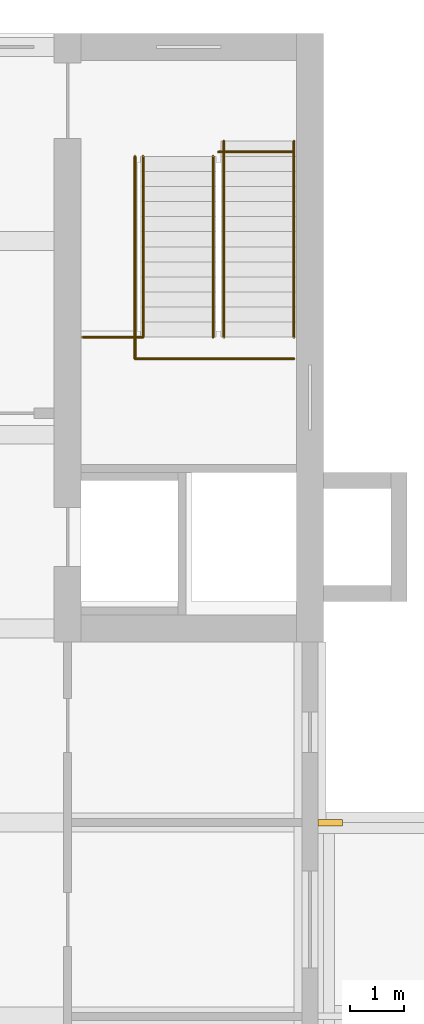
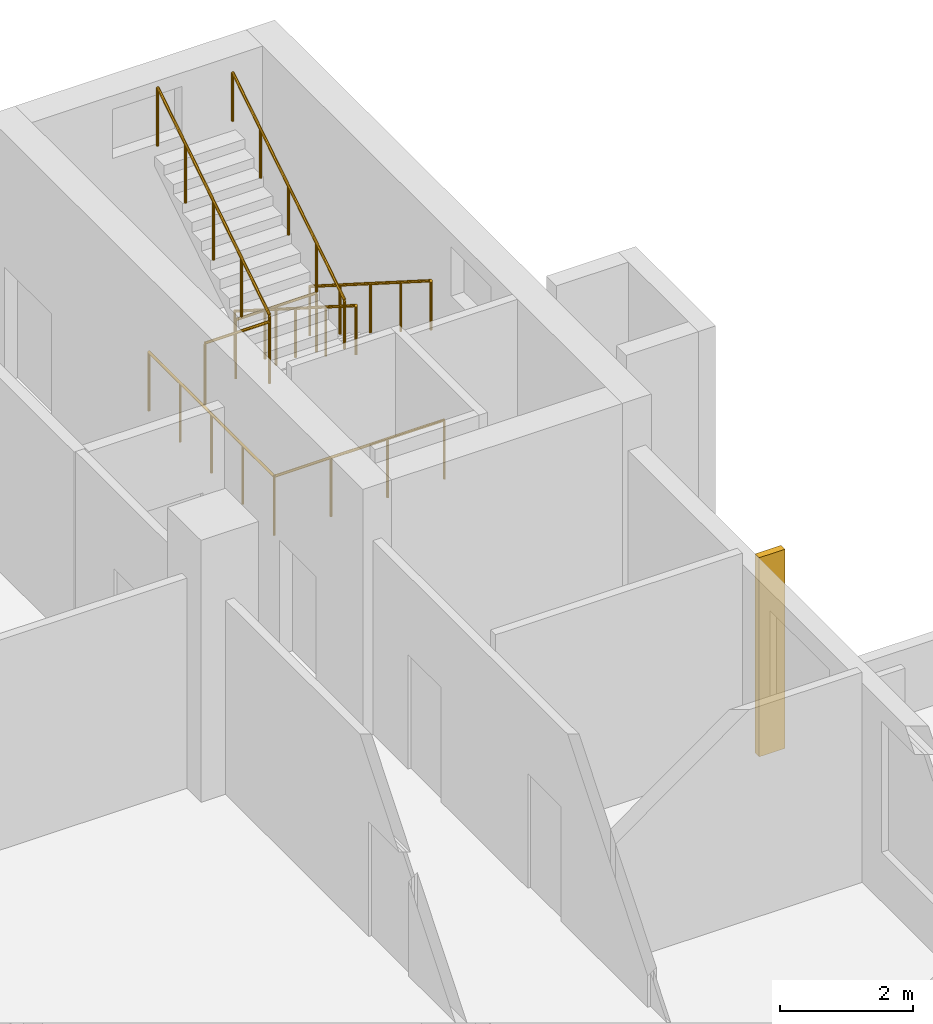
# One storey, part 30 of 30: 7 railings, 1 shading device.
"""IFC4 building model written with IfcOpenShell, lengths in metres."""

from ifc_helpers import new_model, si_unit, direction, frame, origin, origin_2d, place, context, subcontext, project, spatial, rectangle, circle, extrude, material, type_object, element, save


model = new_model("IFC4")

# Units and contexts
model_context = context("Model", 3, precision=1e-05, world=origin(), true_north=direction((0.0, 1.0)))
body_context = subcontext(model_context, "Body", "Model", "MODEL_VIEW")
ifc_project = project(units=[si_unit("LENGTHUNIT", "METRE"), si_unit("AREAUNIT", "SQUARE_METRE"), si_unit("VOLUMEUNIT", "CUBIC_METRE"), si_unit("PLANEANGLEUNIT", "RADIAN"), si_unit("MASSUNIT", "GRAM", prefix="KILO")], contexts=[model_context])

# Site, building, storey
site_placement = place(None, origin())
site = spatial("IfcSite", under=ifc_project, at=site_placement, CompositionType="ELEMENT")
building_placement = place(site_placement, origin())
building = spatial("IfcBuilding", under=site, at=building_placement, Name="Basin Gate Institute", CompositionType="ELEMENT")
storey_placement = place(building_placement, frame((0.0, 0.0, 36.60009765625)))
storey = spatial("IfcBuildingStorey", under=building, at=storey_placement, Name="L07", CompositionType="ELEMENT", Elevation=36.60009765625)

# Shading device
ifc_material_1 = material(Name="Anodised aluminium", Category="aluminium")
shading_device_type = type_object("IfcShadingDeviceType", Name="Brise-soleil fin FN1", PredefinedType="USERDEFINED", material=ifc_material_1)
shading_device_placement = place(storey_placement, frame((119.175048828125, 85.5, 0.0), z_axis=(0.0, 0.0, 1.0), x_axis=(1.0, 0.0, 0.0)))
element("IfcShadingDevice", 1, at=shading_device_placement, inside=storey, type_object=shading_device_type, material=ifc_material_1, Name="Brise-soleil fin FN1 E facade L07 line 15", ObjectType="FIN", PredefinedType="USERDEFINED", context=body_context, shape_type="SweptSolid", body=[
    extrude(rectangle(XDim=0.449951171875, YDim=0.1201171875, at=origin_2d()), origin(), (0.0, 0.0, 1.0), 3.64990234375),
])

# Railings
ifc_material_2 = material(Name="Stainless steel", Category="steel")
railing_type_1 = type_object("IfcRailingType", Name="Stair guard GR1", PredefinedType="GUARDRAIL", material=ifc_material_2)
railing_1_placement = place(storey_placement, frame((115.550048828125, 97.8701171875, 0.0)))
element("IfcRailing", 2, at=railing_1_placement, inside=storey, type_object=railing_type_1, material=ifc_material_2, Name="Stair guard GR1 EN GD3-L06", PredefinedType="GUARDRAIL", context=body_context, shape_type="SweptSolid", body=[
    extrude(circle(Radius=0.02392578125, at=origin_2d()), frame((0.0, 0.0, 1.076171875), z_axis=(0.0, -1.0, 0.0), x_axis=(1.0, 0.0, 0.0)), (0.0, 0.0, 1.0), 3.760009765625),
    extrude(circle(Radius=0.02392578125, at=origin_2d()), frame((0.0, -3.760009765625, 1.076171875), z_axis=(1.0, 0.0, 0.0), x_axis=(0.0, 1.0, 0.0)), (0.0, 0.0, 1.0), 2.949951171875),
    extrude(circle(Radius=0.02099609375, at=origin_2d()), origin(), (0.0, 0.0, 1.0), 1.052001953125),
    extrude(circle(Radius=0.02099609375, at=origin_2d()), frame((0.0, -0.93994140625, 0.0)), (0.0, 0.0, 1.0), 1.052001953125),
    extrude(circle(Radius=0.02099609375, at=origin_2d()), frame((0.0, -1.8798828125, 0.0)), (0.0, 0.0, 1.0), 1.052001953125),
    extrude(circle(Radius=0.02099609375, at=origin_2d()), frame((0.0, -2.820068359375, 0.0)), (0.0, 0.0, 1.0), 1.052001953125),
    extrude(circle(Radius=0.02099609375, at=origin_2d()), frame((0.0, -3.760009765625, 0.0)), (0.0, 0.0, 1.0), 1.052001953125),
    extrude(circle(Radius=0.02099609375, at=origin_2d()), frame((0.9833984375, -3.760009765625, 0.0)), (0.0, 0.0, 1.0), 1.052001953125),
    extrude(circle(Radius=0.02099609375, at=origin_2d()), frame((1.966552734375, -3.760009765625, 0.0)), (0.0, 0.0, 1.0), 1.052001953125),
    extrude(circle(Radius=0.02099609375, at=origin_2d()), frame((2.949951171875, -3.760009765625, 0.0)), (0.0, 0.0, 1.0), 1.052001953125),
])
railing_2_placement = place(storey_placement, frame((118.5, 97.949951171875, 0.0)))
element("IfcRailing", 3, at=railing_2_placement, inside=storey, type_object=railing_type_1, material=ifc_material_2, Name="Stair guard GR1 EN GD4-L06", PredefinedType="GUARDRAIL", context=body_context, shape_type="SweptSolid", body=[
    extrude(circle(Radius=0.02392578125, at=origin_2d()), frame((0.0, 0.0, 1.076171875), z_axis=(-1.0, 0.0, 0.0), x_axis=(0.0, -1.0, 0.0)), (0.0, 0.0, 1.0), 1.39990234375),
    extrude(circle(Radius=0.02099609375, at=origin_2d()), origin(), (0.0, 0.0, 1.0), 1.052001953125),
    extrude(circle(Radius=0.02099609375, at=origin_2d()), frame((-0.699951171875, 0.0, 0.0)), (0.0, 0.0, 1.0), 1.052001953125),
    extrude(circle(Radius=0.02099609375, at=origin_2d()), frame((-1.39990234375, 0.0, 0.0)), (0.0, 0.0, 1.0), 1.052001953125),
])
railing_3_placement = place(storey_placement, frame((115.699951171875, 94.510009765625, 2.66650390625)))
element("IfcRailing", 4, at=railing_3_placement, inside=storey, type_object=railing_type_1, material=ifc_material_2, Name="Stair guard GR1 EN GD1", PredefinedType="GUARDRAIL", context=body_context, shape_type="SweptSolid", body=[
    extrude(circle(Radius=0.02392578125, at=origin_2d()), frame((0.0, 0.0, 1.076171875), z_axis=(0.0, 0.844224270207, 0.535990094679), x_axis=(-1.0, 0.0, 0.0)), (0.0, 0.0, 1.0), 3.980224609375),
    extrude(circle(Radius=0.02099609375, at=origin_2d()), origin(), (0.0, 0.0, 1.0), 1.052001953125),
    extrude(circle(Radius=0.02099609375, at=origin_2d()), frame((0.0, 0.840087890625, 0.533203125)), (0.0, 0.0, 1.0), 1.052001953125),
    extrude(circle(Radius=0.02099609375, at=origin_2d()), frame((0.0, 1.68017578125, 1.066650390625)), (0.0, 0.0, 1.0), 1.052001953125),
    extrude(circle(Radius=0.02099609375, at=origin_2d()), frame((0.0, 2.52001953125, 1.60009765625)), (0.0, 0.0, 1.0), 1.052001953125),
    extrude(circle(Radius=0.02099609375, at=origin_2d()), frame((0.0, 3.360107421875, 2.13330078125)), (0.0, 0.0, 1.0), 1.052001953125),
])
ifc_material_3 = material(Name="Stainless steel", Category="steel")
railing_type_2 = type_object("IfcRailingType", Name="Stair guard GR3", PredefinedType="GUARDRAIL", material=ifc_material_3)
railing_4_placement = place(storey_placement, frame((115.699951171875, 94.510009765625, 2.48876953125)))
element("IfcRailing", 5, at=railing_4_placement, inside=storey, type_object=railing_type_2, material=ifc_material_3, Name="Stair guard GR3 EN GD2", PredefinedType="GUARDRAIL", context=body_context, shape_type="SweptSolid", body=[
    extrude(circle(Radius=0.02392578125, at=origin_2d()), frame((0.0, 0.0, 1.1259765625), z_axis=(-1.0, 0.0, 0.0), x_axis=(0.0, -1.0, 0.0)), (0.0, 0.0, 1.0), 1.119873046875),
    extrude(circle(Radius=0.02099609375, at=origin_2d()), origin(), (0.0, 0.0, 1.0), 1.101806640625),
    extrude(circle(Radius=0.02099609375, at=origin_2d()), frame((-1.119873046875, 0.0, 0.0)), (0.0, 0.0, 1.0), 1.101806640625),
])
ifc_material_4 = material(Name="Stainless steel", Category="steel")
railing_type_3 = type_object("IfcRailingType", Name="Stair handrail HR1", PredefinedType="HANDRAIL", material=ifc_material_4)
for number, where, name in (
    (6, (118.5, 98.14990234375, 0.177734375), "Stair handrail HR1 EN HR1"),
    (7, (117.199951171875, 98.14990234375, 0.177734375), "Stair handrail HR1 EN HR2"),
):
    element("IfcRailing", number, at=place(storey_placement, frame(where)), inside=storey, type_object=railing_type_3, material=ifc_material_4, Name=name, PredefinedType="HANDRAIL", context=body_context, shape_type="SweptSolid", body=[
        extrude(circle(Radius=0.02392578125, at=origin_2d()), frame((0.0, 0.0, 0.89599609375), z_axis=(0.0, -0.84421362867, 0.536006855523), x_axis=(1.0, 0.0, 0.0)), (0.0, 0.0, 1.0), 4.3115234375),
        extrude(circle(Radius=0.02099609375, at=origin_2d()), origin(), (0.0, 0.0, 1.0), 0.871826171875),
        extrude(circle(Radius=0.02099609375, at=origin_2d()), frame((0.0, -0.909912109375, 0.57763671875)), (0.0, 0.0, 1.0), 0.871826171875),
        extrude(circle(Radius=0.02099609375, at=origin_2d()), frame((0.0, -1.81982421875, 1.155517578125)), (0.0, 0.0, 1.0), 0.871826171875),
        extrude(circle(Radius=0.02099609375, at=origin_2d()), frame((0.0, -2.72998046875, 1.7333984375)), (0.0, 0.0, 1.0), 0.871826171875),
        extrude(circle(Radius=0.02099609375, at=origin_2d()), frame((0.0, -3.639892578125, 2.31103515625)), (0.0, 0.0, 1.0), 0.871826171875),
    ])
railing_5_placement = place(storey_placement, frame((117.0, 94.510009765625, 2.66650390625)))
element("IfcRailing", 8, at=railing_5_placement, inside=storey, type_object=railing_type_3, material=ifc_material_4, Name="Stair handrail HR1 EN HR3", PredefinedType="HANDRAIL", context=body_context, shape_type="SweptSolid", body=[
    extrude(circle(Radius=0.02392578125, at=origin_2d()), frame((0.0, 0.0, 0.89599609375), z_axis=(0.0, 0.844224270207, 0.535990094679), x_axis=(-1.0, 0.0, 0.0)), (0.0, 0.0, 1.0), 3.980224609375),
    extrude(circle(Radius=0.02099609375, at=origin_2d()), origin(), (0.0, 0.0, 1.0), 0.871826171875),
    extrude(circle(Radius=0.02099609375, at=origin_2d()), frame((0.0, 0.840087890625, 0.533203125)), (0.0, 0.0, 1.0), 0.871826171875),
    extrude(circle(Radius=0.02099609375, at=origin_2d()), frame((0.0, 1.68017578125, 1.066650390625)), (0.0, 0.0, 1.0), 0.871826171875),
    extrude(circle(Radius=0.02099609375, at=origin_2d()), frame((0.0, 2.52001953125, 1.60009765625)), (0.0, 0.0, 1.0), 0.871826171875),
    extrude(circle(Radius=0.02099609375, at=origin_2d()), frame((0.0, 3.360107421875, 2.13330078125)), (0.0, 0.0, 1.0), 0.871826171875),
])

save(model, "model.ifc")
